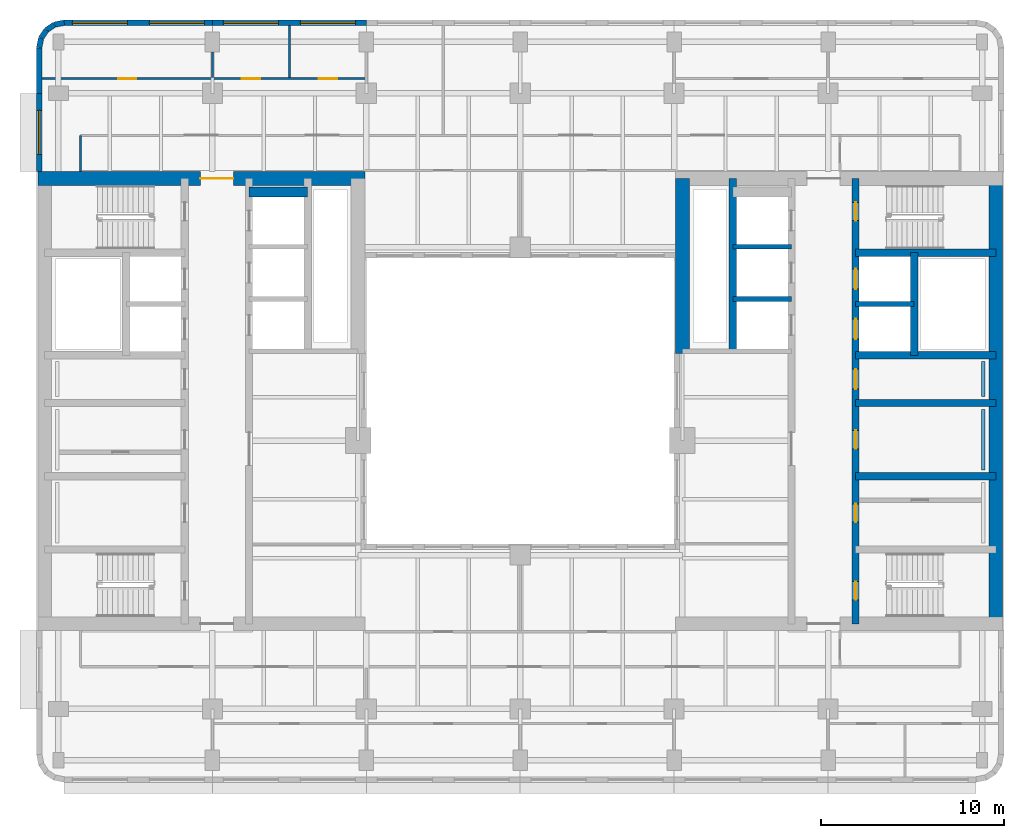
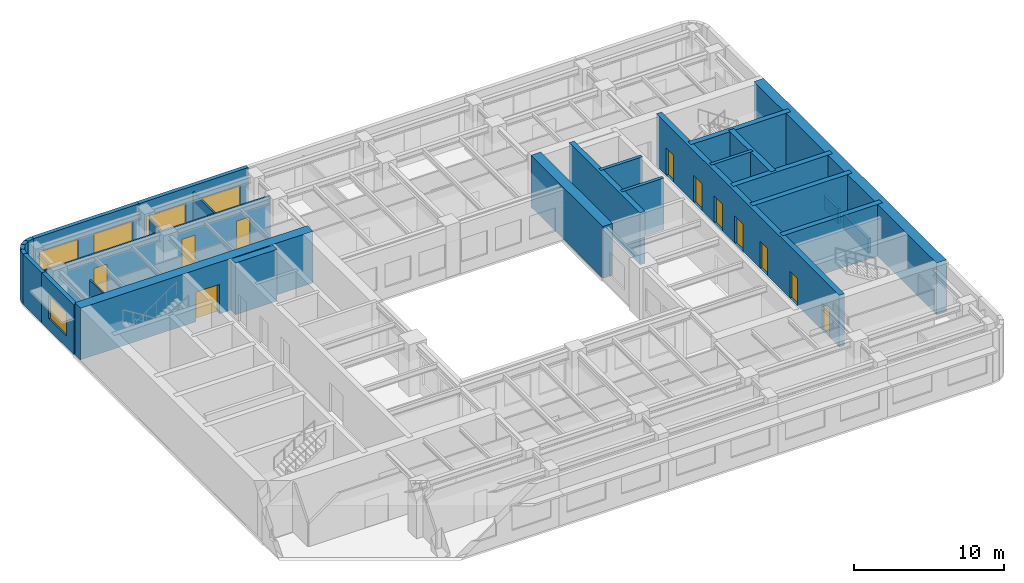
# One storey, part 6 of 11: 28 walls, 11 doors, 5 windows, 16 openings.
"""IFC4 building model written with IfcOpenShell, lengths in metres."""

from ifc_helpers import new_model, si_unit, direction, frame, frame_2d, origin, place, context, subcontext, project, spatial, rectangle, extrude, material, layer, layer_set, type_object, element, fill, save


model = new_model("IFC4")

# Units and contexts
model_context = context("Model", 3, precision=1e-05, world=origin(), true_north=direction((0.0, 1.0)))
body_context = subcontext(model_context, "Body", "Model", "MODEL_VIEW")
ifc_project = project(units=[si_unit("LENGTHUNIT", "METRE"), si_unit("AREAUNIT", "SQUARE_METRE"), si_unit("VOLUMEUNIT", "CUBIC_METRE"), si_unit("PLANEANGLEUNIT", "RADIAN"), si_unit("MASSUNIT", "GRAM", prefix="KILO")], contexts=[model_context])

# Site, building, storey
site_placement = place(None, origin())
site = spatial("IfcSite", under=ifc_project, at=site_placement, CompositionType="ELEMENT")
building_placement = place(site_placement, origin())
building = spatial("IfcBuilding", under=site, at=building_placement, Name="Claustro Exchange Tower", CompositionType="ELEMENT")
storey_placement = place(building_placement, frame((0.0, 0.0, 215.39990234375)))
storey = spatial("IfcBuildingStorey", under=building, at=storey_placement, Name="L49", CompositionType="ELEMENT", Elevation=215.39990234375)

# Wall, openings, doors
ifc_material_1 = material(Name="Laminated glass in aluminium frame", Category="aluminium")
ifc_layer_1 = layer(ifc_material_1, 0.1201171875)
ifc_layer_set_1 = layer_set([ifc_layer_1], Name="Laminated glass in aluminium frame")
wall_type_1 = type_object("IfcWallType", Name="P2 120 glazed partition", PredefinedType="PARTITIONING", material=ifc_layer_set_1)
wall_1_placement = place(storey_placement, frame((-0.902099609375, 42.800048828125, 0.0), z_axis=(0.0, 0.0, 1.0), x_axis=(1.0, 0.0, 0.0)))
wall_1 = element("IfcWall", 1, at=wall_1_placement, inside=storey, type_object=wall_type_1, Name="Partition P2 L49", PredefinedType="PARTITIONING", context=body_context, shape_type="SweptSolid", body=[
    extrude(rectangle(XDim=17.7021484375, YDim=0.1201171875, at=frame_2d((8.85107421875, 0.0))), origin(), (0.0, 0.0, 1.0), 3.56005859375),
])
opening_1_placement = place(wall_1_placement, frame((4.152099609375, 0.0, 0.0)))
opening_1 = element("IfcOpeningElement", 2, at=opening_1_placement, cuts=wall_1, Name="Opening D7", PredefinedType="OPENING", context=body_context, shape_type="SweptSolid", body=[
    extrude(rectangle(XDim=1.0, YDim=2.39990234375, at=frame_2d((0.5, 1.199951171875))), frame((0.0, 0.070068359375, 0.0), z_axis=(0.0, -1.0, 0.0), x_axis=(1.0, 0.0, 0.0)), (0.0, 0.0, 1.0), 0.14013671875),
])
opening_2_placement = place(wall_1_placement, frame((10.902099609375, 0.0, 0.0)))
opening_2 = element("IfcOpeningElement", 3, at=opening_2_placement, cuts=wall_1, Name="Opening D7", PredefinedType="OPENING", context=body_context, shape_type="SweptSolid", body=[
    extrude(rectangle(XDim=1.0, YDim=2.39990234375, at=frame_2d((0.5, 1.199951171875))), frame((0.0, 0.070068359375, 0.0), z_axis=(0.0, -1.0, 0.0), x_axis=(1.0, 0.0, 0.0)), (0.0, 0.0, 1.0), 0.14013671875),
])
opening_3_placement = place(wall_1_placement, frame((15.10205078125, 0.0, 0.0)))
opening_3 = element("IfcOpeningElement", 4, at=opening_3_placement, cuts=wall_1, Name="Opening D7", PredefinedType="OPENING", context=body_context, shape_type="SweptSolid", body=[
    extrude(rectangle(XDim=1.0, YDim=2.39990234375, at=frame_2d((0.5, 1.199951171875))), frame((0.0, 0.070068359375, 0.0), z_axis=(0.0, -1.0, 0.0), x_axis=(1.0, 0.0, 0.0)), (0.0, 0.0, 1.0), 0.14013671875),
])
ifc_material_2 = material(Name="Glass door in aluminium frame", Category="aluminium")
door_type_1 = type_object("IfcDoorType", Name="D7 1000 x 2400 glazed door", OperationType="SINGLE_SWING_LEFT", PredefinedType="DOOR", material=ifc_material_2)
door_1_placement = place(opening_1_placement, origin())
door_1 = element("IfcDoor", 5, at=door_1_placement, inside=storey, type_object=door_type_1, Name="Door D7 L49", OperationType="SINGLE_SWING_RIGHT", OverallHeight=2.39990234375, OverallWidth=1.0, PredefinedType="DOOR", context=body_context, shape_type="SweptSolid", body=[
    extrude(rectangle(XDim=1.0, YDim=2.39990234375, at=frame_2d((0.5, 1.199951171875))), frame((0.0, 0.02490234375, 0.0), z_axis=(0.0, -1.0, 0.0), x_axis=(1.0, 0.0, 0.0)), (0.0, 0.0, 1.0), 0.050048828125),
])
fill(opening_1, door_1)
door_2_placement = place(opening_2_placement, origin())
door_2 = element("IfcDoor", 6, at=door_2_placement, inside=storey, type_object=door_type_1, Name="Door D7 L49", OperationType="SINGLE_SWING_LEFT", OverallHeight=2.39990234375, OverallWidth=1.0, PredefinedType="DOOR", context=body_context, shape_type="SweptSolid", body=[
    extrude(rectangle(XDim=1.0, YDim=2.39990234375, at=frame_2d((0.5, 1.199951171875))), frame((0.0, 0.02490234375, 0.0), z_axis=(0.0, -1.0, 0.0), x_axis=(1.0, 0.0, 0.0)), (0.0, 0.0, 1.0), 0.050048828125),
])
fill(opening_2, door_2)
door_3_placement = place(opening_3_placement, origin())
door_3 = element("IfcDoor", 7, at=door_3_placement, inside=storey, type_object=door_type_1, Name="Door D7 L49", OperationType="SINGLE_SWING_LEFT", OverallHeight=2.39990234375, OverallWidth=1.0, PredefinedType="DOOR", context=body_context, shape_type="SweptSolid", body=[
    extrude(rectangle(XDim=1.0, YDim=2.39990234375, at=frame_2d((0.5, 1.199951171875))), frame((0.0, 0.02490234375, 0.0), z_axis=(0.0, -1.0, 0.0), x_axis=(1.0, 0.0, 0.0)), (0.0, 0.0, 1.0), 0.050048828125),
])
fill(opening_3, door_3)

# Walls
wall_2_placement = place(storey_placement, frame((8.39990234375, 42.85791015625, 0.0), z_axis=(0.0, 0.0, 1.0), x_axis=(0.0, 1.0, 0.0)))
element("IfcWall", 8, at=wall_2_placement, inside=storey, type_object=wall_type_1, Name="Partition P2 L49", PredefinedType="PARTITIONING", context=body_context, shape_type="SweptSolid", body=[
    extrude(rectangle(XDim=1.39306640625, YDim=0.1201171875, at=frame_2d((0.696533203125, 0.0))), origin(), (0.0, 0.0, 1.0), 3.690185546875),
])
wall_3_placement = place(storey_placement, frame((12.60009765625, 42.85791015625, 0.0), z_axis=(0.0, 0.0, 1.0), x_axis=(0.0, 1.0, 0.0)))
element("IfcWall", 9, at=wall_3_placement, inside=storey, type_object=wall_type_1, Name="Partition P2 L49", PredefinedType="PARTITIONING", context=body_context, shape_type="SweptSolid", body=[
    extrude(rectangle(XDim=2.843994140625, YDim=0.1201171875, at=frame_2d((1.421875, 0.0))), origin(), (0.0, 0.0, 1.0), 3.56005859375),
])
wall_4_placement = place(storey_placement, frame((1.199951171875, 37.72412109375, 0.0), z_axis=(0.0, 0.0, 1.0), x_axis=(0.0, 1.0, 0.0)))
element("IfcWall", 10, at=wall_4_placement, inside=storey, type_object=wall_type_1, Name="Partition P2 L49", PredefinedType="PARTITIONING", context=body_context, shape_type="SweptSolid", body=[
    extrude(rectangle(XDim=1.975830078125, YDim=0.1201171875, at=frame_2d((0.98779296875, 0.0))), origin(), (0.0, 0.0, 1.0), 4.050048828125),
])

# Wall, opening, window
ifc_material_3 = material(Name="Concrete HA-40 (C40/50), precast, white cement, acid-etched", Category="concrete")
ifc_layer_2 = layer(ifc_material_3, 0.300048828125)
ifc_layer_set_2 = layer_set([ifc_layer_2], Name="Concrete HA-40 (C40/50), precast, white cement, acid-etched")
wall_type_2 = type_object("IfcWallType", Name="PC1 300 precast concrete pier panel", PredefinedType="SOLIDWALL", material=ifc_layer_set_2)
wall_5_placement = place(storey_placement, frame((-1.050048828125, 37.72509765625, 0.0), z_axis=(0.0, 0.0, 1.0), x_axis=(0.0, 1.0, 0.0)))
wall_5 = element("IfcWall", 11, at=wall_5_placement, inside=storey, type_object=wall_type_2, Name="Precast pier panel PC1 L49", PredefinedType="SOLIDWALL", context=body_context, shape_type="SweptSolid", body=[
    extrude(rectangle(XDim=4.27490234375, YDim=0.300048828125, at=frame_2d((2.137451171875, 0.0))), origin(), (0.0, 0.0, 1.0), 4.050048828125),
])
opening_4_placement = place(wall_5_placement, frame((0.9375, 0.0, 0.89990234375)))
opening_4 = element("IfcOpeningElement", 12, at=opening_4_placement, cuts=wall_5, Name="Opening W2", PredefinedType="OPENING", context=body_context, shape_type="SweptSolid", body=[
    extrude(rectangle(XDim=2.39990234375, YDim=1.89990234375, at=frame_2d((1.199951171875, 0.949951171875))), frame((0.0, 0.159912109375, 0.0), z_axis=(0.0, -1.0, 0.0), x_axis=(1.0, 0.0, 0.0)), (0.0, 0.0, 1.0), 0.320068359375),
])
ifc_material_4 = material(Name="Aluminium frame, clear double glazing", Category="aluminium")
window_type_1 = type_object("IfcWindowType", Name="W2 2400 x 1900 window", PartitioningType="SINGLE_PANEL", PredefinedType="WINDOW", material=ifc_material_4)
window_1_placement = place(opening_4_placement, origin())
window_1 = element("IfcWindow", 13, at=window_1_placement, inside=storey, type_object=window_type_1, Name="Window W2 L49", OverallHeight=1.89990234375, OverallWidth=2.39990234375, PartitioningType="SINGLE_PANEL", PredefinedType="WINDOW", context=body_context, shape_type="SweptSolid", body=[
    extrude(rectangle(XDim=2.39990234375, YDim=1.89990234375, at=frame_2d((1.199951171875, 0.949951171875))), frame((0.0, 0.030029296875, 0.0), z_axis=(0.0, -1.0, 0.0), x_axis=(1.0, 0.0, 0.0)), (0.0, 0.0, 1.0), 0.06005859375),
])
fill(opening_4, window_1)

# Walls
wall_6_placement = place(storey_placement, frame((-1.050048828125, 42.0, 0.0), z_axis=(0.0, 0.0, 1.0), x_axis=(0.0, 1.0, 0.0)))
element("IfcWall", 14, at=wall_6_placement, inside=storey, type_object=wall_type_2, Name="Precast pier panel PC1 L49", PredefinedType="SOLIDWALL", context=body_context, shape_type="SweptSolid", body=[
    extrude(rectangle(XDim=2.485107421875, YDim=0.300048828125, at=frame_2d((1.24267578125, 0.0))), origin(), (0.0, 0.0, 1.0), 4.050048828125),
])
wall_7_placement = place(storey_placement, frame((-1.050048828125, 44.485107421875, 0.0), z_axis=(0.0, 0.0, 1.0), x_axis=(0.195073962632, 0.980788534345, 0.0)))
element("IfcWall", 15, at=wall_7_placement, inside=storey, type_object=wall_type_2, Name="Precast pier panel PC1 L49", PredefinedType="SOLIDWALL", context=body_context, shape_type="SweptSolid", body=[
    extrude(rectangle(XDim=0.540771484375, YDim=0.300048828125, at=frame_2d((0.2705078125, 0.0))), origin(), (0.0, 0.0, 1.0), 4.050048828125),
])
wall_8_placement = place(storey_placement, frame((-0.944580078125, 45.015380859375, 0.0), z_axis=(0.0, 0.0, 1.0), x_axis=(0.55534295404, 0.831621430339, 0.0)))
element("IfcWall", 16, at=wall_8_placement, inside=storey, type_object=wall_type_2, Name="Precast pier panel PC1 L49", PredefinedType="SOLIDWALL", context=body_context, shape_type="SweptSolid", body=[
    extrude(rectangle(XDim=0.52587890625, YDim=0.300048828125, at=frame_2d((0.262939453125, 0.0))), origin(), (0.0, 0.0, 1.0), 4.050048828125),
])
wall_9_placement = place(storey_placement, frame((-0.652587890625, 45.45263671875, 0.0), z_axis=(0.0, 0.0, 1.0), x_axis=(0.831692711774, 0.555236195849, 0.0)))
element("IfcWall", 17, at=wall_9_placement, inside=storey, type_object=wall_type_2, Name="Precast pier panel PC1 L49", PredefinedType="SOLIDWALL", context=body_context, shape_type="SweptSolid", body=[
    extrude(rectangle(XDim=0.525390625, YDim=0.300048828125, at=frame_2d((0.2626953125, 0.0))), origin(), (0.0, 0.0, 1.0), 4.050048828125),
])
wall_10_placement = place(storey_placement, frame((-0.215576171875, 45.744384765625, 0.0), z_axis=(0.0, 0.0, 1.0), x_axis=(0.980702050465, 0.1955082817, 0.0)))
element("IfcWall", 18, at=wall_10_placement, inside=storey, type_object=wall_type_2, Name="Precast pier panel PC1 L49", PredefinedType="SOLIDWALL", context=body_context, shape_type="SweptSolid", body=[
    extrude(rectangle(XDim=0.540771484375, YDim=0.300048828125, at=frame_2d((0.2705078125, 0.0))), origin(), (0.0, 0.0, 1.0), 4.050048828125),
])

# Wall, openings, windows
wall_11_placement = place(storey_placement, frame((0.314697265625, 45.85009765625, 0.0), z_axis=(0.0, 0.0, 1.0), x_axis=(1.0, 0.0, 0.0)))
wall_11 = element("IfcWall", 19, at=wall_11_placement, inside=storey, type_object=wall_type_2, Name="Precast pier panel PC1 L49", PredefinedType="SOLIDWALL", context=body_context, shape_type="SweptSolid", body=[
    extrude(rectangle(XDim=8.085205078125, YDim=0.300048828125, at=frame_2d((4.04248046875, 0.0))), origin(), (0.0, 0.0, 1.0), 4.050048828125),
])
opening_5_placement = place(wall_11_placement, frame((0.442626953125, 0.0, 0.89990234375)))
opening_5 = element("IfcOpeningElement", 20, at=opening_5_placement, cuts=wall_11, Name="Opening W1", PredefinedType="OPENING", context=body_context, shape_type="SweptSolid", body=[
    extrude(rectangle(XDim=3.0, YDim=1.89990234375, at=frame_2d((1.5, 0.949951171875))), frame((0.0, 0.159912109375, 0.0), z_axis=(0.0, -1.0, 0.0), x_axis=(1.0, 0.0, 0.0)), (0.0, 0.0, 1.0), 0.320068359375),
])
opening_6_placement = place(wall_11_placement, frame((4.642578125, 0.0, 0.89990234375)))
opening_6 = element("IfcOpeningElement", 21, at=opening_6_placement, cuts=wall_11, Name="Opening W1", PredefinedType="OPENING", context=body_context, shape_type="SweptSolid", body=[
    extrude(rectangle(XDim=3.0, YDim=1.89990234375, at=frame_2d((1.5, 0.949951171875))), frame((0.0, 0.159912109375, 0.0), z_axis=(0.0, -1.0, 0.0), x_axis=(1.0, 0.0, 0.0)), (0.0, 0.0, 1.0), 0.320068359375),
])
ifc_material_5 = material(Name="Aluminium frame, clear double glazing", Category="aluminium")
window_type_2 = type_object("IfcWindowType", Name="W1 3000 x 1900 window", PartitioningType="SINGLE_PANEL", PredefinedType="WINDOW", material=ifc_material_5)
window_2_placement = place(opening_5_placement, origin())
window_2 = element("IfcWindow", 22, at=window_2_placement, inside=storey, type_object=window_type_2, Name="Window W1 L49", OverallHeight=1.89990234375, OverallWidth=3.0, PartitioningType="SINGLE_PANEL", PredefinedType="WINDOW", context=body_context, shape_type="SweptSolid", body=[
    extrude(rectangle(XDim=3.0, YDim=1.89990234375, at=frame_2d((1.5, 0.949951171875))), frame((0.0, 0.030029296875, 0.0), z_axis=(0.0, -1.0, 0.0), x_axis=(1.0, 0.0, 0.0)), (0.0, 0.0, 1.0), 0.06005859375),
])
fill(opening_5, window_2)
window_3_placement = place(opening_6_placement, origin())
window_3 = element("IfcWindow", 23, at=window_3_placement, inside=storey, type_object=window_type_2, Name="Window W1 L49", OverallHeight=1.89990234375, OverallWidth=3.0, PartitioningType="SINGLE_PANEL", PredefinedType="WINDOW", context=body_context, shape_type="SweptSolid", body=[
    extrude(rectangle(XDim=3.0, YDim=1.89990234375, at=frame_2d((1.5, 0.949951171875))), frame((0.0, 0.030029296875, 0.0), z_axis=(0.0, -1.0, 0.0), x_axis=(1.0, 0.0, 0.0)), (0.0, 0.0, 1.0), 0.06005859375),
])
fill(opening_6, window_3)

wall_12_placement = place(storey_placement, frame((8.39990234375, 45.85009765625, 0.0), z_axis=(0.0, 0.0, 1.0), x_axis=(1.0, 0.0, 0.0)))
wall_12 = element("IfcWall", 24, at=wall_12_placement, inside=storey, type_object=wall_type_2, Name="Precast pier panel PC1 L49", PredefinedType="SOLIDWALL", context=body_context, shape_type="SweptSolid", body=[
    extrude(rectangle(XDim=8.400146484375, YDim=0.300048828125, at=frame_2d((4.2001953125, 0.0))), origin(), (0.0, 0.0, 1.0), 4.050048828125),
])
opening_7_placement = place(wall_12_placement, frame((0.60009765625, 0.0, 0.89990234375)))
opening_7 = element("IfcOpeningElement", 25, at=opening_7_placement, cuts=wall_12, Name="Opening W1", PredefinedType="OPENING", context=body_context, shape_type="SweptSolid", body=[
    extrude(rectangle(XDim=3.0, YDim=1.89990234375, at=frame_2d((1.5, 0.949951171875))), frame((0.0, 0.159912109375, 0.0), z_axis=(0.0, -1.0, 0.0), x_axis=(1.0, 0.0, 0.0)), (0.0, 0.0, 1.0), 0.320068359375),
])
opening_8_placement = place(wall_12_placement, frame((4.800048828125, 0.0, 0.89990234375)))
opening_8 = element("IfcOpeningElement", 26, at=opening_8_placement, cuts=wall_12, Name="Opening W1", PredefinedType="OPENING", context=body_context, shape_type="SweptSolid", body=[
    extrude(rectangle(XDim=3.0, YDim=1.89990234375, at=frame_2d((1.5, 0.949951171875))), frame((0.0, 0.159912109375, 0.0), z_axis=(0.0, -1.0, 0.0), x_axis=(1.0, 0.0, 0.0)), (0.0, 0.0, 1.0), 0.320068359375),
])
window_4_placement = place(opening_7_placement, origin())
window_4 = element("IfcWindow", 27, at=window_4_placement, inside=storey, type_object=window_type_2, Name="Window W1 L49", OverallHeight=1.89990234375, OverallWidth=3.0, PartitioningType="SINGLE_PANEL", PredefinedType="WINDOW", context=body_context, shape_type="SweptSolid", body=[
    extrude(rectangle(XDim=3.0, YDim=1.89990234375, at=frame_2d((1.5, 0.949951171875))), frame((0.0, 0.030029296875, 0.0), z_axis=(0.0, -1.0, 0.0), x_axis=(1.0, 0.0, 0.0)), (0.0, 0.0, 1.0), 0.06005859375),
])
fill(opening_7, window_4)
window_5_placement = place(opening_8_placement, origin())
window_5 = element("IfcWindow", 28, at=window_5_placement, inside=storey, type_object=window_type_2, Name="Window W1 L49", OverallHeight=1.89990234375, OverallWidth=3.0, PartitioningType="SINGLE_PANEL", PredefinedType="WINDOW", context=body_context, shape_type="SweptSolid", body=[
    extrude(rectangle(XDim=3.0, YDim=1.89990234375, at=frame_2d((1.5, 0.949951171875))), frame((0.0, 0.030029296875, 0.0), z_axis=(0.0, -1.0, 0.0), x_axis=(1.0, 0.0, 0.0)), (0.0, 0.0, 1.0), 0.06005859375),
])
fill(opening_8, window_5)

# Walls
ifc_material_6 = material(Name="Gypsum board on steel studs, tiled", Category="steel")
ifc_layer_3 = layer(ifc_material_6, 0.199951171875)
ifc_layer_set_3 = layer_set([ifc_layer_3], Name="Gypsum board on steel studs, tiled")
wall_type_3 = type_object("IfcWallType", Name="PW1 200 WC duct wall", PredefinedType="PLUMBINGWALL", material=ifc_layer_set_3)
wall_13_placement = place(storey_placement, frame((50.47509765625, 21.449951171875, 0.0), z_axis=(0.0, 0.0, 1.0), x_axis=(0.0, 1.0, 0.0)))
element("IfcWall", 29, at=wall_13_placement, inside=storey, type_object=wall_type_3, Name="WC duct wall PW1 L49", PredefinedType="PLUMBINGWALL", context=body_context, shape_type="SweptSolid", body=[
    extrude(rectangle(XDim=3.300048828125, YDim=0.199951171875, at=frame_2d((1.64990234375, 0.0))), origin(), (0.0, 0.0, 1.0), 1.2001953125),
])
wall_14_placement = place(storey_placement, frame((50.47509765625, 25.449951171875, 0.0), z_axis=(0.0, 0.0, 1.0), x_axis=(0.0, 1.0, 0.0)))
element("IfcWall", 30, at=wall_14_placement, inside=storey, type_object=wall_type_3, Name="WC duct wall PW1 L49", PredefinedType="PLUMBINGWALL", context=body_context, shape_type="SweptSolid", body=[
    extrude(rectangle(XDim=1.900146484375, YDim=0.199951171875, at=frame_2d((0.9501953125, 0.0))), origin(), (0.0, 0.0, 1.0), 1.2001953125),
])

# Wall, opening, door
ifc_material_7 = material(Name="Concrete HA-70 (C70/85)", Category="concrete")
ifc_layer_4 = layer(ifc_material_7, 0.75)
ifc_layer_set_4 = layer_set([ifc_layer_4], Name="Concrete HA-70 (C70/85)")
wall_type_4 = type_object("IfcWallType", Name="SW2 750 core shear wall", PredefinedType="SHEAR", material=ifc_layer_set_4)
wall_15_placement = place(storey_placement, frame((-1.125, 37.35009765625, 0.0), z_axis=(0.0, 0.0, 1.0), x_axis=(1.0, 0.0, 0.0)))
wall_15 = element("IfcWall", 31, at=wall_15_placement, inside=storey, type_object=wall_type_4, Name="Core wall SW2 W core N face L49", PredefinedType="SHEAR", context=body_context, shape_type="SweptSolid", body=[
    extrude(rectangle(XDim=17.85009765625, YDim=0.75, at=frame_2d((8.925048828125, 0.0))), origin(), (0.0, 0.0, 1.0), 4.2001953125),
])
opening_9_placement = place(wall_15_placement, frame((8.875, 0.0, 0.0)))
opening_9 = element("IfcOpeningElement", 32, at=opening_9_placement, cuts=wall_15, Name="Opening D3", PredefinedType="OPENING", context=body_context, shape_type="SweptSolid", body=[
    extrude(rectangle(XDim=1.800048828125, YDim=2.39990234375, at=frame_2d((0.89990234375, 1.199951171875))), frame((0.0, 0.385009765625, 0.0), z_axis=(0.0, -1.0, 0.0), x_axis=(1.0, 0.0, 0.0)), (0.0, 0.0, 1.0), 0.77001953125),
])
ifc_material_8 = material(Name="Steel fire door, painted", Category="steel")
door_type_2 = type_object("IfcDoorType", Name="D3 1800 x 2400 fire-rated lobby double door", OperationType="DOUBLE_DOOR_SINGLE_SWING", PredefinedType="DOOR", material=ifc_material_8)
door_4_placement = place(opening_9_placement, frame((1.800048828125, 0.0, 0.0), z_axis=(0.0, 0.0, 1.0), x_axis=(-1.0, 0.0, 0.0)))
door_4 = element("IfcDoor", 33, at=door_4_placement, inside=storey, type_object=door_type_2, Name="Lift lobby door D3 L49", OperationType="DOUBLE_DOOR_SINGLE_SWING", OverallHeight=2.39990234375, OverallWidth=1.800048828125, PredefinedType="DOOR", context=body_context, shape_type="SweptSolid", body=[
    extrude(rectangle(XDim=1.800048828125, YDim=2.39990234375, at=frame_2d((0.89990234375, 1.199951171875))), frame((0.0, 0.02490234375, 0.0), z_axis=(0.0, -1.0, 0.0), x_axis=(1.0, 0.0, 0.0)), (0.0, 0.0, 1.0), 0.050048828125),
])
fill(opening_9, door_4)

# Walls
ifc_material_9 = material(Name="Concrete HA-70 (C70/85)", Category="concrete")
ifc_layer_5 = layer(ifc_material_9, 0.75)
ifc_layer_set_5 = layer_set([ifc_layer_5], Name="Concrete HA-70 (C70/85)")
wall_type_5 = type_object("IfcWallType", Name="SW2X 750 exposed core shear wall, board-marked face", PredefinedType="SHEAR", material=ifc_layer_set_5)
wall_16_placement = place(storey_placement, frame((34.050048828125, 27.800048828125, 0.0), z_axis=(0.0, 0.0, 1.0), x_axis=(0.0, 1.0, 0.0)))
element("IfcWall", 34, at=wall_16_placement, inside=storey, type_object=wall_type_5, Name="Core wall SW2X E core W face L49", PredefinedType="SHEAR", context=body_context, shape_type="SweptSolid", body=[
    extrude(rectangle(XDim=9.550048828125, YDim=0.75, at=frame_2d((4.77490234375, 0.0))), origin(), (0.0, 0.0, 1.0), 4.2001953125),
])
wall_17_placement = place(storey_placement, frame((51.14990234375, 13.050048828125, 0.0), z_axis=(0.0, 0.0, 1.0), x_axis=(0.0, 1.0, 0.0)))
element("IfcWall", 35, at=wall_17_placement, inside=storey, type_object=wall_type_5, Name="Core wall SW2X E core E face L49", PredefinedType="SHEAR", context=body_context, shape_type="SweptSolid", body=[
    extrude(rectangle(XDim=24.300048828125, YDim=0.75, at=frame_2d((12.14990234375, 0.0))), origin(), (0.0, 0.0, 1.0), 4.2001953125),
])

# Wall, openings, doors
ifc_material_10 = material(Name="Concrete HA-50 (C50/60)", Category="concrete")
ifc_layer_6 = layer(ifc_material_10, 0.39990234375)
ifc_layer_set_6 = layer_set([ifc_layer_6], Name="Concrete HA-50 (C50/60)")
wall_type_6 = type_object("IfcWallType", Name="SW4 400 internal core wall", PredefinedType="SHEAR", material=ifc_layer_set_6)
wall_18_placement = place(storey_placement, frame((43.5, 13.050048828125, 0.0), z_axis=(0.0, 0.0, 1.0), x_axis=(0.0, 1.0, 0.0)))
wall_18 = element("IfcWall", 36, at=wall_18_placement, inside=storey, type_object=wall_type_6, Name="Internal core wall SW4 E core L49", PredefinedType="SHEAR", context=body_context, shape_type="SweptSolid", body=[
    extrude(rectangle(XDim=24.300048828125, YDim=0.39990234375, at=frame_2d((12.14990234375, 0.0))), origin(), (0.0, 0.0, 1.0), 4.2001953125),
])
opening_10_placement = place(wall_18_placement, frame((1.300048828125, 0.0, 0.0)))
opening_10 = element("IfcOpeningElement", 37, at=opening_10_placement, cuts=wall_18, Name="Opening D4", PredefinedType="OPENING", context=body_context, shape_type="SweptSolid", body=[
    extrude(rectangle(XDim=1.0, YDim=2.199951171875, at=frame_2d((0.5, 1.10009765625))), frame((0.0, 0.2099609375, 0.0), z_axis=(0.0, -1.0, 0.0), x_axis=(1.0, 0.0, 0.0)), (0.0, 0.0, 1.0), 0.419921875),
])
opening_11_placement = place(wall_18_placement, frame((22.0, 0.0, 0.0)))
opening_11 = element("IfcOpeningElement", 38, at=opening_11_placement, cuts=wall_18, Name="Opening D4", PredefinedType="OPENING", context=body_context, shape_type="SweptSolid", body=[
    extrude(rectangle(XDim=1.0, YDim=2.199951171875, at=frame_2d((0.5, 1.10009765625))), frame((0.0, 0.2099609375, 0.0), z_axis=(0.0, -1.0, 0.0), x_axis=(1.0, 0.0, 0.0)), (0.0, 0.0, 1.0), 0.419921875),
])
opening_12_placement = place(wall_18_placement, frame((5.550048828125, 0.0, 0.0)))
opening_12 = element("IfcOpeningElement", 39, at=opening_12_placement, cuts=wall_18, Name="Opening D1", PredefinedType="OPENING", context=body_context, shape_type="SweptSolid", body=[
    extrude(rectangle(XDim=1.0, YDim=2.199951171875, at=frame_2d((0.5, 1.10009765625))), frame((0.0, 0.2099609375, 0.0), z_axis=(0.0, -1.0, 0.0), x_axis=(1.0, 0.0, 0.0)), (0.0, 0.0, 1.0), 0.419921875),
])
opening_13_placement = place(wall_18_placement, frame((9.550048828125, 0.0, 0.0)))
opening_13 = element("IfcOpeningElement", 40, at=opening_13_placement, cuts=wall_18, Name="Opening D1", PredefinedType="OPENING", context=body_context, shape_type="SweptSolid", body=[
    extrude(rectangle(XDim=1.0, YDim=2.199951171875, at=frame_2d((0.5, 1.10009765625))), frame((0.0, 0.2099609375, 0.0), z_axis=(0.0, -1.0, 0.0), x_axis=(1.0, 0.0, 0.0)), (0.0, 0.0, 1.0), 0.419921875),
])
opening_14_placement = place(wall_18_placement, frame((12.800048828125, 0.0, 0.0)))
opening_14 = element("IfcOpeningElement", 41, at=opening_14_placement, cuts=wall_18, Name="Opening D10", PredefinedType="OPENING", context=body_context, shape_type="SweptSolid", body=[
    extrude(rectangle(XDim=1.10009765625, YDim=2.199951171875, at=frame_2d((0.550048828125, 1.10009765625))), frame((0.0, 0.2099609375, 0.0), z_axis=(0.0, -1.0, 0.0), x_axis=(1.0, 0.0, 0.0)), (0.0, 0.0, 1.0), 0.419921875),
])
opening_15_placement = place(wall_18_placement, frame((15.53759765625, 0.0, 0.0)))
opening_15 = element("IfcOpeningElement", 42, at=opening_15_placement, cuts=wall_18, Name="Opening LD", PredefinedType="OPENING", context=body_context, shape_type="SweptSolid", body=[
    extrude(rectangle(XDim=1.10009765625, YDim=2.199951171875, at=frame_2d((0.550048828125, 1.10009765625))), frame((0.0, 0.2099609375, 0.0), z_axis=(0.0, -1.0, 0.0), x_axis=(1.0, 0.0, 0.0)), (0.0, 0.0, 1.0), 0.419921875),
])
opening_16_placement = place(wall_18_placement, frame((18.262451171875, 0.0, 0.0)))
opening_16 = element("IfcOpeningElement", 43, at=opening_16_placement, cuts=wall_18, Name="Opening LD", PredefinedType="OPENING", context=body_context, shape_type="SweptSolid", body=[
    extrude(rectangle(XDim=1.10009765625, YDim=2.199951171875, at=frame_2d((0.550048828125, 1.10009765625))), frame((0.0, 0.2099609375, 0.0), z_axis=(0.0, -1.0, 0.0), x_axis=(1.0, 0.0, 0.0)), (0.0, 0.0, 1.0), 0.419921875),
])
ifc_material_11 = material(Name="Timber door, oak veneer", Category="wood")
door_type_3 = type_object("IfcDoorType", Name="D1 1000 x 2200 single door", OperationType="SINGLE_SWING_LEFT", PredefinedType="DOOR", material=ifc_material_11)
door_5_placement = place(opening_12_placement, frame((1.0, 0.0, 0.0), z_axis=(0.0, 0.0, 1.0), x_axis=(-1.0, 0.0, 0.0)))
door_5 = element("IfcDoor", 44, at=door_5_placement, inside=storey, type_object=door_type_3, Name="Door D1 L49", OperationType="SINGLE_SWING_LEFT", OverallHeight=2.199951171875, OverallWidth=1.0, PredefinedType="DOOR", context=body_context, shape_type="SweptSolid", body=[
    extrude(rectangle(XDim=1.0, YDim=2.199951171875, at=frame_2d((0.5, 1.10009765625))), frame((0.0, 0.02490234375, 0.0), z_axis=(0.0, -1.0, 0.0), x_axis=(1.0, 0.0, 0.0)), (0.0, 0.0, 1.0), 0.050048828125),
])
fill(opening_12, door_5)
door_6_placement = place(opening_13_placement, frame((1.0, 0.0, 0.0), z_axis=(0.0, 0.0, 1.0), x_axis=(-1.0, 0.0, 0.0)))
door_6 = element("IfcDoor", 45, at=door_6_placement, inside=storey, type_object=door_type_3, Name="Door D1 L49", OperationType="SINGLE_SWING_LEFT", OverallHeight=2.199951171875, OverallWidth=1.0, PredefinedType="DOOR", context=body_context, shape_type="SweptSolid", body=[
    extrude(rectangle(XDim=1.0, YDim=2.199951171875, at=frame_2d((0.5, 1.10009765625))), frame((0.0, 0.02490234375, 0.0), z_axis=(0.0, -1.0, 0.0), x_axis=(1.0, 0.0, 0.0)), (0.0, 0.0, 1.0), 0.050048828125),
])
fill(opening_13, door_6)
ifc_material_12 = material(Name="Timber door, oak veneer", Category="wood")
door_type_4 = type_object("IfcDoorType", Name="D10 1100 x 2200 accessible WC door", OperationType="SINGLE_SWING_LEFT", PredefinedType="DOOR", material=ifc_material_12)
door_7_placement = place(opening_14_placement, origin())
door_7 = element("IfcDoor", 46, at=door_7_placement, inside=storey, type_object=door_type_4, Name="Accessible WC door D10 L49", OperationType="SINGLE_SWING_RIGHT", OverallHeight=2.199951171875, OverallWidth=1.10009765625, PredefinedType="DOOR", context=body_context, shape_type="SweptSolid", body=[
    extrude(rectangle(XDim=1.10009765625, YDim=2.199951171875, at=frame_2d((0.550048828125, 1.10009765625))), frame((0.0, 0.02490234375, 0.0), z_axis=(0.0, -1.0, 0.0), x_axis=(1.0, 0.0, 0.0)), (0.0, 0.0, 1.0), 0.050048828125),
])
fill(opening_14, door_7)
ifc_material_13 = material(Name="Steel fire door, painted", Category="steel")
door_type_5 = type_object("IfcDoorType", Name="D4 1000 x 2200 fire-rated stair door", OperationType="SINGLE_SWING_LEFT", PredefinedType="DOOR", material=ifc_material_13)
door_8_placement = place(opening_10_placement, frame((1.0, 0.0, 0.0), z_axis=(0.0, 0.0, 1.0), x_axis=(-1.0, 0.0, 0.0)))
door_8 = element("IfcDoor", 47, at=door_8_placement, inside=storey, type_object=door_type_5, Name="Stair door D4 L49", OperationType="SINGLE_SWING_RIGHT", OverallHeight=2.199951171875, OverallWidth=1.0, PredefinedType="DOOR", context=body_context, shape_type="SweptSolid", body=[
    extrude(rectangle(XDim=1.0, YDim=2.199951171875, at=frame_2d((0.5, 1.10009765625))), frame((0.0, 0.02490234375, 0.0), z_axis=(0.0, -1.0, 0.0), x_axis=(1.0, 0.0, 0.0)), (0.0, 0.0, 1.0), 0.050048828125),
])
fill(opening_10, door_8)
door_9_placement = place(opening_11_placement, frame((1.0, 0.0, 0.0), z_axis=(0.0, 0.0, 1.0), x_axis=(-1.0, 0.0, 0.0)))
door_9 = element("IfcDoor", 48, at=door_9_placement, inside=storey, type_object=door_type_5, Name="Stair door D4 L49", OperationType="SINGLE_SWING_LEFT", OverallHeight=2.199951171875, OverallWidth=1.0, PredefinedType="DOOR", context=body_context, shape_type="SweptSolid", body=[
    extrude(rectangle(XDim=1.0, YDim=2.199951171875, at=frame_2d((0.5, 1.10009765625))), frame((0.0, 0.02490234375, 0.0), z_axis=(0.0, -1.0, 0.0), x_axis=(1.0, 0.0, 0.0)), (0.0, 0.0, 1.0), 0.050048828125),
])
fill(opening_11, door_9)
ifc_material_14 = material(Name="Stainless steel sliding door", Category="steel")
door_type_6 = type_object("IfcDoorType", Name="LD 1100 x 2200 lift landing door", OperationType="DOUBLE_DOOR_SLIDING", PredefinedType="DOOR", material=ifc_material_14)
door_10_placement = place(opening_15_placement, origin())
door_10 = element("IfcDoor", 49, at=door_10_placement, inside=storey, type_object=door_type_6, Name="Lift landing door LEE1 LD L49", OperationType="DOUBLE_DOOR_SLIDING", OverallHeight=2.199951171875, OverallWidth=1.10009765625, PredefinedType="DOOR", context=body_context, shape_type="SweptSolid", body=[
    extrude(rectangle(XDim=1.10009765625, YDim=2.199951171875, at=frame_2d((0.550048828125, 1.10009765625))), frame((0.0, 0.02490234375, 0.0), z_axis=(0.0, -1.0, 0.0), x_axis=(1.0, 0.0, 0.0)), (0.0, 0.0, 1.0), 0.050048828125),
])
fill(opening_15, door_10)
door_11_placement = place(opening_16_placement, origin())
door_11 = element("IfcDoor", 50, at=door_11_placement, inside=storey, type_object=door_type_6, Name="Lift landing door LEE2 LD L49", OperationType="DOUBLE_DOOR_SLIDING", OverallHeight=2.199951171875, OverallWidth=1.10009765625, PredefinedType="DOOR", context=body_context, shape_type="SweptSolid", body=[
    extrude(rectangle(XDim=1.10009765625, YDim=2.199951171875, at=frame_2d((0.550048828125, 1.10009765625))), frame((0.0, 0.02490234375, 0.0), z_axis=(0.0, -1.0, 0.0), x_axis=(1.0, 0.0, 0.0)), (0.0, 0.0, 1.0), 0.050048828125),
])
fill(opening_16, door_11)

# Walls
wall_19_placement = place(storey_placement, frame((36.800048828125, 27.925048828125, 0.0), z_axis=(0.0, 0.0, 1.0), x_axis=(0.0, 1.0, 0.0)))
element("IfcWall", 51, at=wall_19_placement, inside=storey, type_object=wall_type_6, Name="Internal core wall SW4 E core L49", PredefinedType="SHEAR", context=body_context, shape_type="SweptSolid", body=[
    extrude(rectangle(XDim=9.425048828125, YDim=0.39990234375, at=frame_2d((4.71240234375, 0.0))), origin(), (0.0, 0.0, 1.0), 4.2001953125),
])
for number, where, z_axis, x_axis, name in (
    (52, (51.14990234375, 21.10009765625, 0.0), (0.0, 0.0, 1.0), (-1.0, 0.0, 0.0), "Internal core wall SW4 E core L49"),
    (53, (51.14990234375, 25.10009765625, 0.0), (0.0, 0.0, 1.0), (-1.0, 0.0, 0.0), "Internal core wall SW4 E core L49"),
    (54, (51.14990234375, 27.699951171875, 0.0), (0.0, 0.0, 1.0), (-1.0, 0.0, 0.0), "Internal core wall SW4 E core L49"),
    (55, (51.14990234375, 33.300048828125, 0.0), (0.0, 0.0, 1.0), (-1.0, 0.0, 0.0), "Internal core wall SW4 E core L49"),
):
    element("IfcWall", number, at=place(storey_placement, frame(where, z_axis=z_axis, x_axis=x_axis)), inside=storey, type_object=wall_type_6, Name=name, PredefinedType="SHEAR", context=body_context, shape_type="SweptSolid", body=[
        extrude(rectangle(XDim=7.64990234375, YDim=0.39990234375, at=frame_2d((3.824951171875, 0.0))), origin(), (0.0, 0.0, 1.0), 4.2001953125),
    ])
wall_20_placement = place(storey_placement, frame((46.699951171875, 27.699951171875, 0.0), z_axis=(0.0, 0.0, 1.0), x_axis=(0.0, 1.0, 0.0)))
element("IfcWall", 56, at=wall_20_placement, inside=storey, type_object=wall_type_6, Name="Internal core wall SW4 E core L49", PredefinedType="SHEAR", context=body_context, shape_type="SweptSolid", body=[
    extrude(rectangle(XDim=5.60009765625, YDim=0.39990234375, at=frame_2d((2.800048828125, 0.0))), origin(), (0.0, 0.0, 1.0), 4.2001953125),
])
ifc_material_15 = material(Name="Concrete HA-50 (C50/60)", Category="concrete")
ifc_layer_7 = layer(ifc_material_15, 0.25)
ifc_layer_set_7 = layer_set([ifc_layer_7], Name="Concrete HA-50 (C50/60)")
wall_type_7 = type_object("IfcWallType", Name="SW5 250 lift shaft divider wall", PredefinedType="SHEAR", material=ifc_layer_set_7)
for number, where, z_axis, x_axis, name in (
    (57, (46.699951171875, 30.5, 0.0), (0.0, 0.0, 1.0), (-1.0, 0.0, 0.0), "Lift shaft wall E core L49"),
    (58, (40.0, 30.77490234375, 0.0), (0.0, 0.0, 1.0), (-1.0, 0.0, 0.0), "Lift shaft wall E core L49"),
    (59, (40.0, 33.625, 0.0), (0.0, 0.0, 1.0), (-1.0, 0.0, 0.0), "Lift shaft wall E core L49"),
):
    element("IfcWall", number, at=place(storey_placement, frame(where, z_axis=z_axis, x_axis=x_axis)), inside=storey, type_object=wall_type_7, Name=name, PredefinedType="SHEAR", context=body_context, shape_type="SweptSolid", body=[
        extrude(rectangle(XDim=3.199951171875, YDim=0.25, at=frame_2d((1.60009765625, 0.0))), origin(), (0.0, 0.0, 1.0), 4.2001953125),
    ])
ifc_material_16 = material(Name="Concrete HA-50 (C50/60)", Category="concrete")
ifc_layer_8 = layer(ifc_material_16, 0.550048828125)
ifc_layer_set_8 = layer_set([ifc_layer_8], Name="Concrete HA-50 (C50/60)")
wall_type_8 = type_object("IfcWallType", Name="SW6 550 lift shaft end wall", PredefinedType="SHEAR", material=ifc_layer_set_8)
wall_21_placement = place(storey_placement, frame((10.39990234375, 36.625, 0.0), z_axis=(0.0, 0.0, 1.0), x_axis=(1.0, 0.0, 0.0)))
element("IfcWall", 60, at=wall_21_placement, inside=storey, type_object=wall_type_8, Name="Lift shaft wall W core L49", PredefinedType="SHEAR", context=body_context, shape_type="SweptSolid", body=[
    extrude(rectangle(XDim=3.2001953125, YDim=0.550048828125, at=frame_2d((1.60009765625, 0.0))), origin(), (0.0, 0.0, 1.0), 4.2001953125),
])

save(model, "model.ifc")
